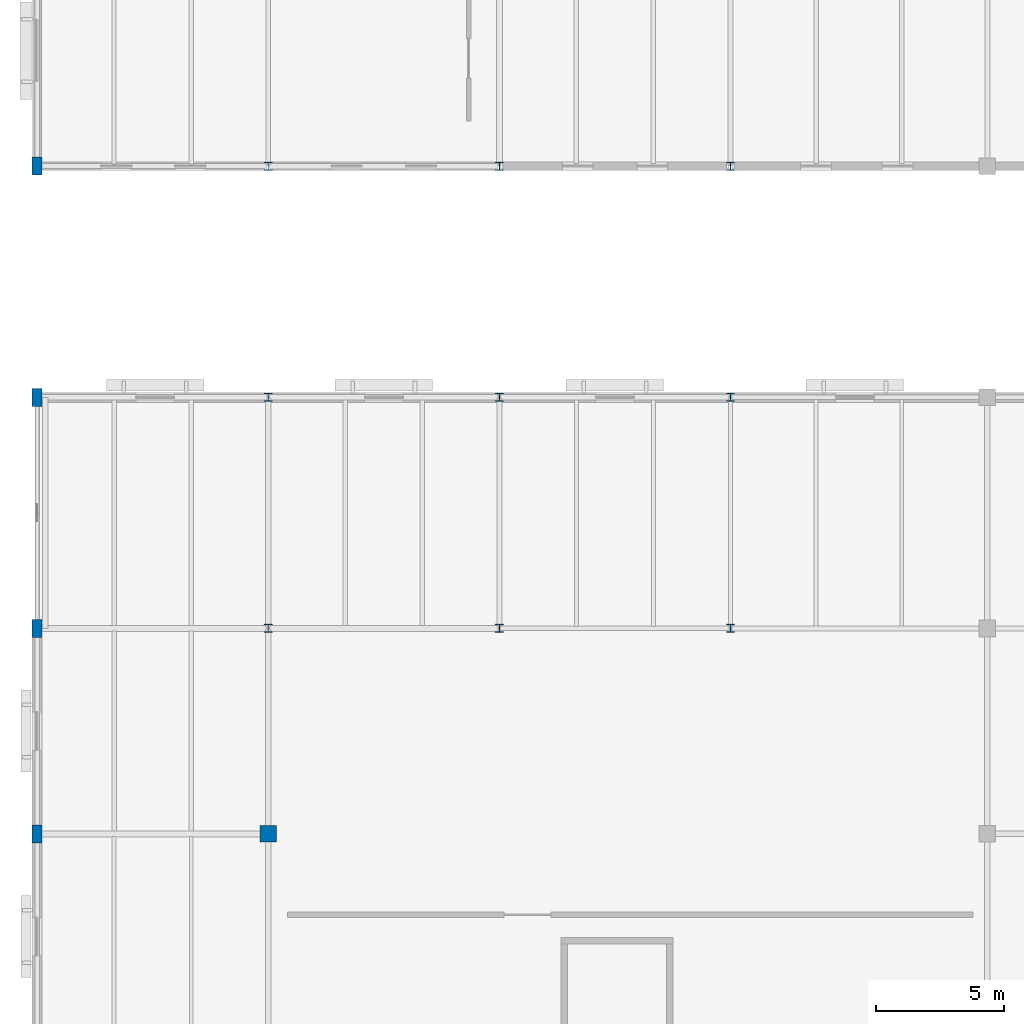
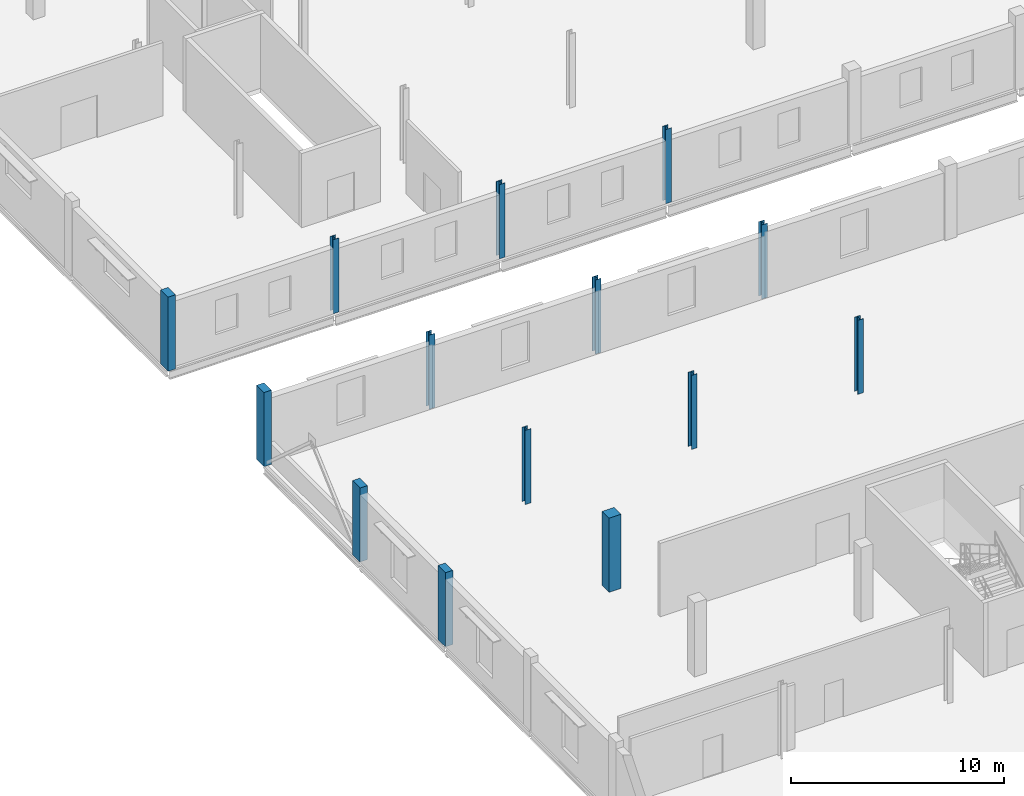
# One storey, part 3 of 85: 14 columns.
"""IFC4 building model written with IfcOpenShell, lengths in metres."""

from ifc_helpers import new_model, si_unit, direction, frame, origin, origin_2d, place, context, subcontext, project, spatial, rectangle, i_section, extrude, material, material_profile, profile_set, type_object, element, save


model = new_model("IFC4")

# Units and contexts
model_context = context("Model", 3, precision=1e-05, world=origin(), true_north=direction((0.0, 1.0)))
body_context = subcontext(model_context, "Body", "Model", "MODEL_VIEW")
ifc_project = project(units=[si_unit("LENGTHUNIT", "METRE"), si_unit("AREAUNIT", "SQUARE_METRE"), si_unit("VOLUMEUNIT", "CUBIC_METRE"), si_unit("PLANEANGLEUNIT", "RADIAN"), si_unit("MASSUNIT", "GRAM", prefix="KILO")], contexts=[model_context])

# Site, building, storey
site_placement = place(None, origin())
site = spatial("IfcSite", under=ifc_project, at=site_placement, CompositionType="ELEMENT")
building_placement = place(site_placement, origin())
building = spatial("IfcBuilding", under=site, at=building_placement, Name="Marnock Terrace Opera House", CompositionType="ELEMENT")
storey_placement = place(building_placement, frame((0.0, 0.0, 10.199951171875)))
storey = spatial("IfcBuildingStorey", under=building, at=storey_placement, Name="L02", CompositionType="ELEMENT", Elevation=10.199951171875)

# Columns
ifc_material_1 = material(Name="Concrete N40 (f'c = 40 MPa)", Category="concrete")
ifc_material_profile_1 = material_profile(ifc_material_1, rectangle(XDim=0.39990234375, YDim=0.699951171875, at=origin_2d()))
ifc_profile_set_1 = profile_set([ifc_material_profile_1], Name="Concrete N40 (f'c = 40 MPa)")
column_type_1 = type_object("IfcColumnType", Name="COL-PIL-700", PredefinedType="PILASTER", material=ifc_profile_set_1)
for number, where, z_axis, x_axis, name in (
    (1, (0.0, 40.0, 0.0), (0.0, 0.0, 1.0), (1.0, 0.0, 0.0), "L02 column at (0.0, 40.0)"),
    (2, (0.0, 48.0, 0.0), (0.0, 0.0, 1.0), (1.0, 0.0, 0.0), "L02 column at (0.0, 48.0)"),
    (3, (0.0, 57.0, 0.0), (0.0, 0.0, 1.0), (1.0, 0.0, 0.0), "L02 column at (0.0, 57.0)"),
    (4, (0.0, 66.0, 0.0), (0.0, 0.0, 1.0), (1.0, 0.0, 0.0), "L02 column at (0.0, 66.0)"),
):
    element("IfcColumn", number, at=place(storey_placement, frame(where, z_axis=z_axis, x_axis=x_axis)), inside=storey, type_object=column_type_1, Name=name, PredefinedType="PILASTER", context=body_context, shape_type="SweptSolid", body=[
        extrude(rectangle(XDim=0.39990234375, YDim=0.699951171875, at=origin_2d()), origin(), (0.0, 0.0, 1.0), 4.239990234375),
    ])
ifc_material_profile_2 = material_profile(ifc_material_1, rectangle(XDim=0.64990234375, YDim=0.64990234375, at=origin_2d()))
ifc_profile_set_2 = profile_set([ifc_material_profile_2], Name="Concrete N40 (f'c = 40 MPa)")
column_type_2 = type_object("IfcColumnType", Name="COL-RC650", PredefinedType="COLUMN", material=ifc_profile_set_2)
column_placement = place(storey_placement, frame((9.0, 40.0, 0.0), z_axis=(0.0, 0.0, 1.0), x_axis=(1.0, 0.0, 0.0)))
element("IfcColumn", 5, at=column_placement, inside=storey, type_object=column_type_2, Name="L02 column at (9.0, 40.0)", PredefinedType="COLUMN", context=body_context, shape_type="SweptSolid", body=[
    extrude(rectangle(XDim=0.64990234375, YDim=0.64990234375, at=origin_2d()), origin(), (0.0, 0.0, 1.0), 4.239990234375),
])
ifc_material_2 = material(Name="Steel Grade 350 (AS/NZS 3679.1)", Category="steel")
ifc_material_profile_3 = material_profile(ifc_material_2, i_section(OverallWidth=0.306884765625, OverallDepth=0.314697265625, WebThickness=0.011962890625, FlangeThickness=0.018798828125, FilletRadius=0.0166015625, at=origin_2d()))
ifc_profile_set_3 = profile_set([ifc_material_profile_3], Name="Steel Grade 350 (AS/NZS 3679.1)")
column_type_3 = type_object("IfcColumnType", Name="COL-UC310C", PredefinedType="COLUMN", material=ifc_profile_set_3)
for number, where, z_axis, x_axis, name in (
    (6, (9.0, 48.0, 0.0), (0.0, 0.0, 1.0), (1.0, 0.0, 0.0), "L02 column at (9.0, 48.0)"),
    (7, (9.0, 57.0, 0.0), (0.0, 0.0, 1.0), (1.0, 0.0, 0.0), "L02 column at (9.0, 57.0)"),
    (8, (9.0, 66.0, 0.0), (0.0, 0.0, 1.0), (1.0, 0.0, 0.0), "L02 column at (9.0, 66.0)"),
    (9, (18.0, 48.0, 0.0), (0.0, 0.0, 1.0), (1.0, 0.0, 0.0), "L02 column at (18.0, 48.0)"),
    (10, (18.0, 57.0, 0.0), (0.0, 0.0, 1.0), (1.0, 0.0, 0.0), "L02 column at (18.0, 57.0)"),
    (11, (18.0, 66.0, 0.0), (0.0, 0.0, 1.0), (1.0, 0.0, 0.0), "L02 column at (18.0, 66.0)"),
    (12, (27.0, 48.0, 0.0), (0.0, 0.0, 1.0), (1.0, 0.0, 0.0), "L02 column at (27.0, 48.0)"),
    (13, (27.0, 57.0, 0.0), (0.0, 0.0, 1.0), (1.0, 0.0, 0.0), "L02 column at (27.0, 57.0)"),
    (14, (27.0, 66.0, 0.0), (0.0, 0.0, 1.0), (1.0, 0.0, 0.0), "L02 column at (27.0, 66.0)"),
):
    element("IfcColumn", number, at=place(storey_placement, frame(where, z_axis=z_axis, x_axis=x_axis)), inside=storey, type_object=column_type_3, Name=name, PredefinedType="COLUMN", context=body_context, shape_type="SweptSolid", body=[
        extrude(i_section(OverallWidth=0.306884765625, OverallDepth=0.314697265625, WebThickness=0.011962890625, FlangeThickness=0.018798828125, FilletRadius=0.0166015625, at=origin_2d()), origin(), (0.0, 0.0, 1.0), 4.239990234375),
    ])

save(model, "model.ifc")
